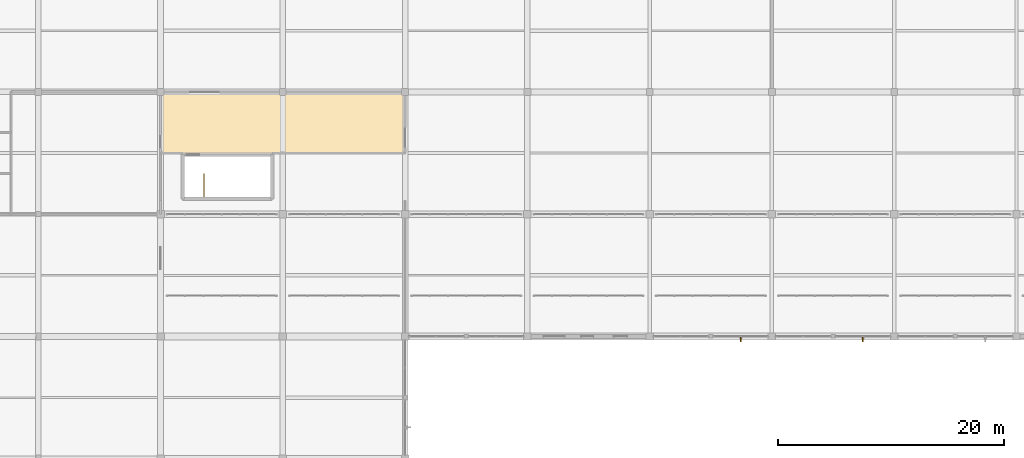
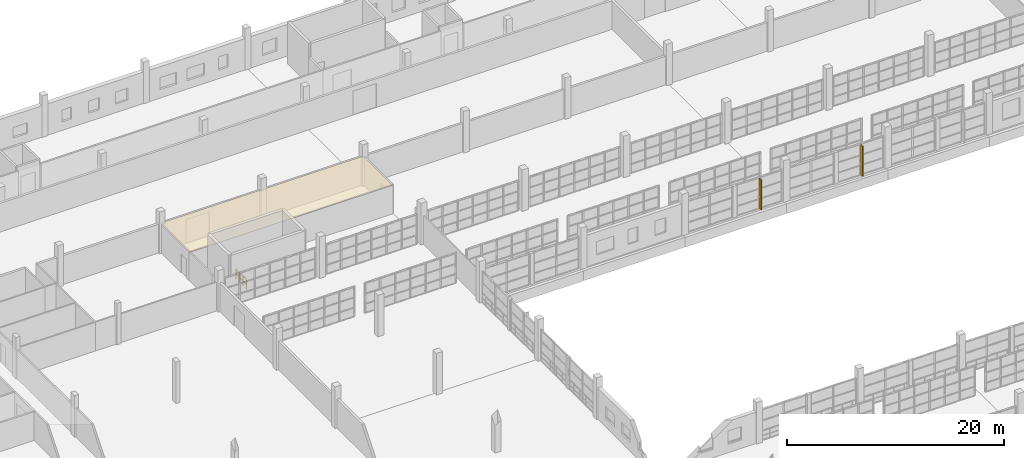
# One storey, part 135 of 142: 2 shading devices, 1 covering, 1 railing.
"""IFC4 building model written with IfcOpenShell, lengths in metres."""

import ifcopenshell
import ifcopenshell.guid

model = None  # the IFC model being written
_history = None  # IfcOwnerHistory: only IFC2X3 demands one
_inside = {}  # id of a spatial element -> (the spatial element, [elements in it])
_under = {}  # id of a project, library or spatial element -> (it, [spatial elements below it])
_declared = {}  # id of a project -> (the project, [libraries it declares])
_typed = {}  # id of a type object -> (the type object, [elements of that type])
_made_of = {}  # id of a material, layer set ... -> (it, [elements and type objects made of it])


def new_model(schema):
    """Start an empty IFC model of exactly this schema.

    Asked for "IFC4X3", IfcOpenShell would pick the latest addendum, in which some entities
    have other attributes; the version numbers below select the first issue.
    IFC2X3 requires an IfcOwnerHistory on every rooted entity: one is made here for all.
    """
    global model, _history
    if schema == "IFC4X3":
        model = ifcopenshell.file(schema_version=(4, 3, 0, 0))
    else:
        model = ifcopenshell.file(schema=schema)
    _inside.clear()
    _under.clear()
    _declared.clear()
    _typed.clear()
    _made_of.clear()
    _history = None
    if model.schema == "IFC2X3":
        org = make("IfcOrganization", Name="unknown")
        user = make(
            "IfcPersonAndOrganization",
            ThePerson=make("IfcPerson", FamilyName="unknown"),
            TheOrganization=org,
        )
        app = make(
            "IfcApplication",
            ApplicationDeveloper=org,
            Version="unknown",
            ApplicationFullName="unknown",
            ApplicationIdentifier="unknown",
        )
        _history = make(
            "IfcOwnerHistory",
            OwningUser=user,
            OwningApplication=app,
            ChangeAction="ADDED",
            CreationDate=0,
        )
    return model


def make(cls, **values):
    """One entity of the class cls with the attributes given. An attribute that is None is left unset."""
    return model.create_entity(
        cls, **{name: value for name, value in values.items() if value is not None}
    )


def rooted(cls, **values):
    """An entity with a GlobalId (a new one), such as an element, a storey or a relation."""
    return make(cls, GlobalId=ifcopenshell.guid.new(), OwnerHistory=_history, **values)


def si_unit(unit_type, name, prefix=None):
    """IfcSIUnit, for example si_unit("LENGTHUNIT", "METRE", prefix="MILLI")."""
    return make("IfcSIUnit", UnitType=unit_type, Prefix=prefix, Name=name)


def assignment(units):
    """IfcUnitAssignment: the units of a project."""
    return None if units is None else make("IfcUnitAssignment", Units=units)


def point(xyz):
    """IfcCartesianPoint."""
    return None if xyz is None else make("IfcCartesianPoint", Coordinates=xyz)


def direction(xyz):
    """IfcDirection."""
    return None if xyz is None else make("IfcDirection", DirectionRatios=xyz)


def frame(location, z_axis=None, x_axis=None):
    """IfcAxis2Placement3D, a coordinate frame: its origin and axes. An axis left out is left unset."""
    return make(
        "IfcAxis2Placement3D",
        Location=point(location),
        Axis=direction(z_axis),
        RefDirection=direction(x_axis),
    )


def frame_2d(location, x_axis=None):
    """IfcAxis2Placement2D, a coordinate frame in the plane: its origin and x axis."""
    return make(
        "IfcAxis2Placement2D", Location=point(location), RefDirection=direction(x_axis)
    )


def origin():
    """The frame at (0, 0, 0) with its axes left unset."""
    return frame((0.0, 0.0, 0.0))


def origin_2d():
    """The frame at (0, 0) in the plane with its x axis left unset."""
    return frame_2d((0.0, 0.0))


def place(relative_to, where):
    """IfcLocalPlacement: puts the frame where relative to a parent placement (None: the world)."""
    return make(
        "IfcLocalPlacement", PlacementRelTo=relative_to, RelativePlacement=where
    )


def context(
    kind, dimensions, precision=None, world=None, true_north=None, identifier=None
):
    """IfcGeometricRepresentationContext, for example the 3D "Model" context."""
    return make(
        "IfcGeometricRepresentationContext",
        ContextIdentifier=identifier,
        ContextType=kind,
        CoordinateSpaceDimension=dimensions,
        Precision=precision,
        WorldCoordinateSystem=world,
        TrueNorth=true_north,
    )


def subcontext(parent, identifier, kind, view, scale=None):
    """IfcGeometricRepresentationSubContext, for example "Body" below "Model"."""
    return make(
        "IfcGeometricRepresentationSubContext",
        ContextIdentifier=identifier,
        ContextType=kind,
        ParentContext=parent,
        TargetScale=scale,
        TargetView=view,
    )


def project(units=None, contexts=None):
    """IfcProject with its units and contexts."""
    return rooted(
        "IfcProject",
        Name="project",
        RepresentationContexts=contexts,
        UnitsInContext=assignment(units),
    )


def spatial(cls, under=None, at=None, **own):
    """A site, building, storey or space (cls), placed at a placement, below another one or the project."""
    s = rooted(cls, ObjectPlacement=at, **own)
    if under is not None:
        _under.setdefault(under.id(), (under, []))[1].append(s)
    return s


def polyline(points):
    """IfcPolyline through the points."""
    return make("IfcPolyline", Points=[point(p) for p in points])


def profile(cls, at=None, kind="AREA", **sizes):
    """A parametric profile (cls). Its sizes go by their IFC names, for example OverallWidth=200.0."""
    return make(cls, ProfileType=kind, Position=at, **sizes)


def rectangle(**sizes):
    """IfcRectangleProfileDef."""
    return profile("IfcRectangleProfileDef", **sizes)


def circle(**sizes):
    """IfcCircleProfileDef."""
    return profile("IfcCircleProfileDef", **sizes)


def outline(outer, holes=None, kind="AREA"):
    """IfcArbitraryClosedProfileDef: a profile drawn as a closed curve; with holes, ...WithVoids."""
    if holes is None:
        return make("IfcArbitraryClosedProfileDef", ProfileType=kind, OuterCurve=outer)
    return make(
        "IfcArbitraryProfileDefWithVoids",
        ProfileType=kind,
        OuterCurve=outer,
        InnerCurves=holes,
    )


def extrude(swept, where, along, depth):
    """IfcExtrudedAreaSolid: the profile swept, set in the frame where, extruded along a direction by depth."""
    return make(
        "IfcExtrudedAreaSolid",
        SweptArea=swept,
        Position=where,
        ExtrudedDirection=direction(along),
        Depth=depth,
    )


def shape(context_of_items, identifier, shape_type, items):
    """IfcShapeRepresentation: the items that make up one representation, for example the "Body"."""
    return make(
        "IfcShapeRepresentation",
        ContextOfItems=context_of_items,
        RepresentationIdentifier=identifier,
        RepresentationType=shape_type,
        Items=items,
    )


def material(Name=None, Category=None):
    """IfcMaterial."""
    return make("IfcMaterial", Name=Name, Category=Category)


def layer(
    of_material, thickness, ventilated=None, Name=None, Category=None, Priority=None
):
    """IfcMaterialLayer: one layer of a wall or slab, of a material (None: an air gap)."""
    return make(
        "IfcMaterialLayer",
        Material=of_material,
        LayerThickness=thickness,
        IsVentilated=ventilated,
        Name=Name,
        Category=Category,
        Priority=Priority,
    )


def layer_set(layers, Name=None):
    """IfcMaterialLayerSet."""
    return make("IfcMaterialLayerSet", MaterialLayers=layers, LayerSetName=Name)


def made_of(thing, what):
    """Note that an element or type object is made of a material, layer set ...; save() writes the relation."""
    if what is not None:
        _made_of.setdefault(what.id(), (what, []))[1].append(thing)
    return thing


def type_object(cls, material=None, **own):
    """A type object (cls), such as IfcWallType, which elements share."""
    return made_of(rooted(cls, **own), material)


def element(
    cls,
    number,
    at=None,
    inside=None,
    cuts=None,
    type_object=None,
    material=None,
    context=None,
    identifier="Body",
    shape_type=None,
    held_by="IfcProductDefinitionShape",
    body=None,
    shapes=None,
    **own,
):
    """One element of the class cls, such as IfcWall. Its Tag is "e" and its number.

    at: its placement. inside: the storey or other place that contains it. cuts: it is an
    opening in that element (IfcRelVoidsElement). A single representation is given by context,
    identifier, shape_type and body (its items); several are given by shapes. held_by: the class
    of the entity that holds the representations. save() writes the other relations.
    """
    e = rooted(cls, Tag="e%d" % number, ObjectPlacement=at, **own)
    if body is not None:
        shapes = [shape(context, identifier, shape_type, body)]
    if shapes is not None:
        e.Representation = make(held_by, Representations=shapes)
    if inside is not None:
        _inside.setdefault(inside.id(), (inside, []))[1].append(e)
    if cuts is not None:
        rooted(
            "IfcRelVoidsElement", RelatingBuildingElement=cuts, RelatedOpeningElement=e
        )
    if type_object is not None:
        _typed.setdefault(type_object.id(), (type_object, []))[1].append(e)
    return made_of(e, material)


def aggregate(whole, parts):
    """IfcRelAggregates: a whole, such as a stair, and the parts it consists of."""
    return rooted("IfcRelAggregates", RelatingObject=whole, RelatedObjects=parts)


def save(model, path):
    """Write the relations noted so far, then the file.

    IfcRelAggregates (storeys below a building ...), IfcRelContainedInSpatialStructure (elements
    in a storey), IfcRelDefinesByType, IfcRelAssociatesMaterial and IfcRelDeclares: one each for
    every whole, place, type object, material and project.
    """
    for whole, parts in _under.values():
        aggregate(whole, parts)
    for where, things in _inside.values():
        rooted(
            "IfcRelContainedInSpatialStructure",
            RelatedElements=things,
            RelatingStructure=where,
        )
    for kind, things in _typed.values():
        rooted("IfcRelDefinesByType", RelatedObjects=things, RelatingType=kind)
    for what, things in _made_of.values():
        rooted("IfcRelAssociatesMaterial", RelatedObjects=things, RelatingMaterial=what)
    for by, libraries in _declared.values():
        rooted("IfcRelDeclares", RelatingContext=by, RelatedDefinitions=libraries)
    model.write(path)


model = new_model("IFC4")

# Units and contexts
model_context = context("Model", 3, precision=1e-05, world=origin(), true_north=direction((0.0, 1.0)))
body_context = subcontext(model_context, "Body", "Model", "MODEL_VIEW")
ifc_project = project(units=[si_unit("LENGTHUNIT", "METRE"), si_unit("AREAUNIT", "SQUARE_METRE"), si_unit("VOLUMEUNIT", "CUBIC_METRE"), si_unit("PLANEANGLEUNIT", "RADIAN"), si_unit("MASSUNIT", "GRAM", prefix="KILO")], contexts=[model_context])

# Site, building, storey
site_placement = place(None, origin())
site = spatial("IfcSite", under=ifc_project, at=site_placement, CompositionType="ELEMENT")
building_placement = place(site_placement, origin())
building = spatial("IfcBuilding", under=site, at=building_placement, Name="Zwinboog Wholesale Market", CompositionType="ELEMENT")
storey_placement = place(building_placement, frame((0.0, 0.0, 5.39990234375)))
storey = spatial("IfcBuildingStorey", under=building, at=storey_placement, Name="L01", CompositionType="ELEMENT", Elevation=5.39990234375)

# Shading devices
ifc_material_1 = material(Name="Western red cedar timber", Category="wood")
shading_device_type = type_object("IfcShadingDeviceType", Name="SHD-FIN-CEDAR", PredefinedType="USERDEFINED", material=ifc_material_1)
for number, where, z_axis, x_axis, name in (
    (1, (116.0400390625, 86.14501953125, 0.080078125), (0.0, 0.0, 1.0), (0.0, 1.0, 0.0), "FN-01 (SHD-FIN-033)"),
    (2, (126.840087890625, 86.14501953125, 0.080078125), (0.0, 0.0, 1.0), (0.0, 1.0, 0.0), "FN-01 (SHD-FIN-034)"),
):
    element("IfcShadingDevice", number, at=place(storey_placement, frame(where, z_axis=z_axis, x_axis=x_axis)), inside=storey, type_object=shading_device_type, Name=name, ObjectType="FIN", PredefinedType="USERDEFINED", context=body_context, shape_type="SweptSolid", body=[
        extrude(rectangle(XDim=0.419921875, YDim=0.0849609375, at=origin_2d()), origin(), (0.0, 0.0, 1.0), 3.3798828125),
    ])

# Railing
ifc_material_2 = material(Name="Steel S355", Category="steel")
railing_type = type_object("IfcRailingType", Name="RLT-INT-GUARD", PredefinedType="BALUSTRADE", material=ifc_material_2)
railing_placement = place(storey_placement, frame((68.6201171875, 100.739990234375, 0.0)))
element("IfcRailing", 3, at=railing_placement, inside=storey, type_object=railing_type, Name="GR-02 (RLG-ST-14-GTOP)", PredefinedType="BALUSTRADE", context=body_context, shape_type="SweptSolid", body=[
    extrude(circle(Radius=0.02392578125, at=origin_2d()), frame((0.0, 0.0, 1.09619140625), z_axis=(0.0, -1.0, 0.0), x_axis=(1.0, 0.0, 0.0)), (0.0, 0.0, 1.0), 2.0),
    extrude(circle(Radius=0.02392578125, at=origin_2d()), frame((0.0, 0.0, 0.5361328125), z_axis=(0.0, -1.0, 0.0), x_axis=(1.0, 0.0, 0.0)), (0.0, 0.0, 1.0), 2.0),
    extrude(circle(Radius=0.02099609375, at=origin_2d()), origin(), (0.0, 0.0, 1.0), 1.072021484375),
    extrude(circle(Radius=0.02099609375, at=origin_2d()), frame((0.0, -0.666748046875, 0.0)), (0.0, 0.0, 1.0), 1.072021484375),
    extrude(circle(Radius=0.02099609375, at=origin_2d()), frame((0.0, -1.333251953125, 0.0)), (0.0, 0.0, 1.0), 1.072021484375),
    extrude(circle(Radius=0.02099609375, at=origin_2d()), frame((0.0, -2.0, 0.0)), (0.0, 0.0, 1.0), 1.072021484375),
])

# Covering
ifc_material_3 = material(Name="Hygienic washable acoustic gypsum ceiling")
ifc_layer = layer(ifc_material_3, 0.050048828125)
ifc_layer_set = layer_set([ifc_layer], Name="Hygienic washable acoustic gypsum ceiling")
covering_type = type_object("IfcCoveringType", Name="COV-CEIL-HYG", PredefinedType="CEILING", material=ifc_layer_set)
covering_placement = place(storey_placement, frame((0.0, 0.0, 3.130126953125)))
element("IfcCovering", 4, at=covering_placement, inside=storey, type_object=covering_type, Name="CL-02 (COV-CL-L01-023)", PredefinedType="CEILING", context=body_context, shape_type="SweptSolid", body=[
    extrude(outline(polyline([(64.800048828125, 102.60009765625), (86.39990234375, 102.60009765625), (86.39990234375, 108.0), (64.800048828125, 108.0), (64.800048828125, 102.60009765625)])), origin(), (0.0, 0.0, 1.0), 0.050048828125),
])

save(model, "model.ifc")
